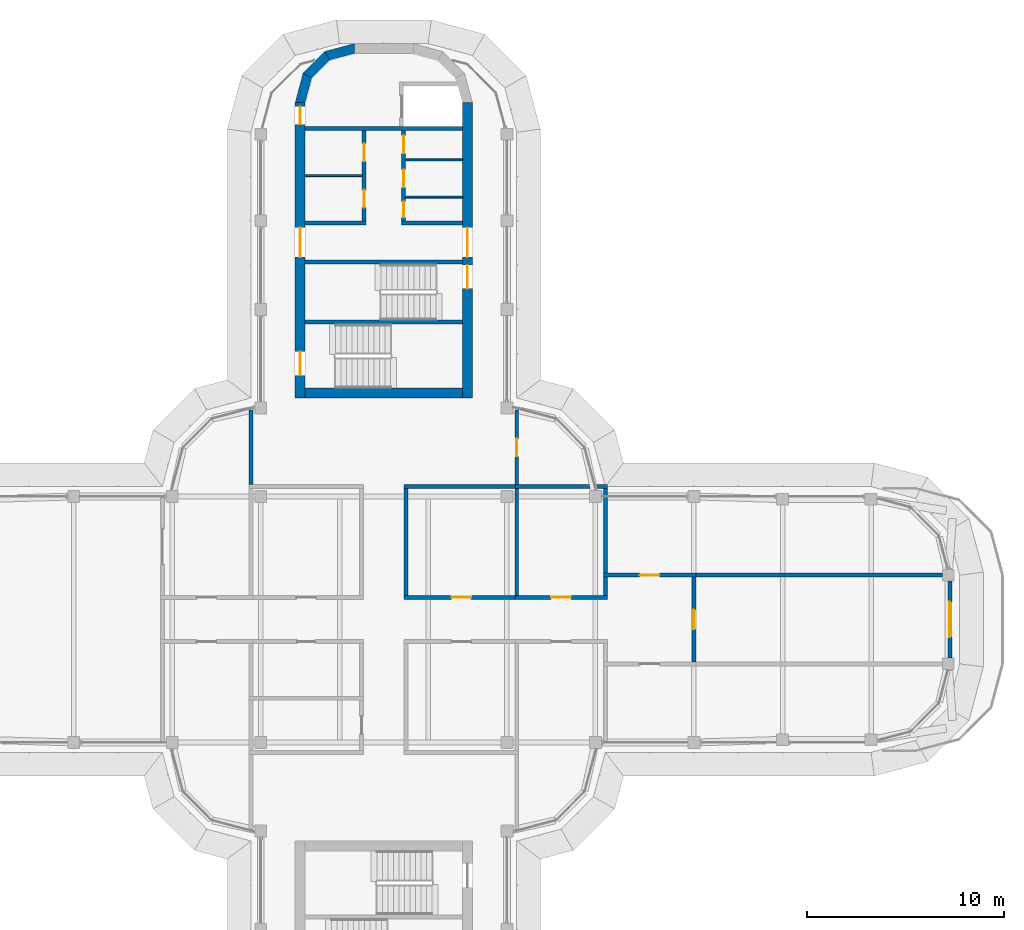
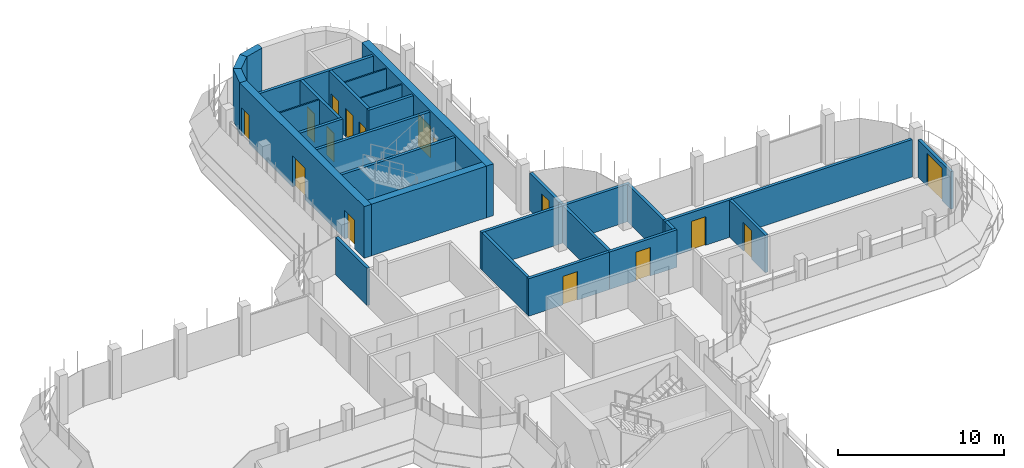
# One storey, part 15 of 20: 30 walls, 16 doors, 16 openings.
"""IFC4 building model written with IfcOpenShell, lengths in metres."""

from ifc_helpers import new_model, si_unit, direction, frame, frame_2d, origin, place, context, subcontext, project, spatial, polyline, rectangle, outline, extrude, material, layer, layer_set, type_object, element, fill, save


model = new_model("IFC4")

# Units and contexts
model_context = context("Model", 3, precision=1e-05, world=origin(), true_north=direction((0.0, 1.0)))
body_context = subcontext(model_context, "Body", "Model", "MODEL_VIEW")
ifc_project = project(units=[si_unit("LENGTHUNIT", "METRE"), si_unit("AREAUNIT", "SQUARE_METRE"), si_unit("VOLUMEUNIT", "CUBIC_METRE"), si_unit("PLANEANGLEUNIT", "RADIAN"), si_unit("MASSUNIT", "GRAM", prefix="KILO")], contexts=[model_context])

# Site, building, storey
site_placement = place(None, origin())
site = spatial("IfcSite", under=ifc_project, at=site_placement, CompositionType="ELEMENT")
building_placement = place(site_placement, origin())
building = spatial("IfcBuilding", under=site, at=building_placement, Name="Zarbagh Exchange Tower", CompositionType="ELEMENT")
storey_placement = place(building_placement, frame((0.0, 0.0, 249.800048828125)))
storey = spatial("IfcBuildingStorey", under=building, at=storey_placement, Name="L61", CompositionType="ELEMENT", Elevation=249.800048828125)

# Walls
ifc_material_1 = material(Name="Dense blockwork", Category="masonry")
ifc_layer_1 = layer(ifc_material_1, 0.10009765625)
ifc_layer_set_1 = layer_set([ifc_layer_1], Name="Core partition 100 mm blockwork")
wall_type_1 = type_object("IfcWallType", Name="Core partition 100 mm blockwork", PredefinedType="PARTITIONING", material=ifc_layer_set_1)
for number, where, z_axis, x_axis, name in (
    (1, (-4.0, 22.550048828125, 0.0), (0.0, 0.0, 1.0), (1.0, 0.0, 0.0), "North core partition wall CUT-W-580"),
    (2, (1.10009765625, 23.35009765625, 0.0), (0.0, 0.0, 1.0), (1.0, 0.0, 0.0), "North core partition wall CUT-E-500"),
    (3, (1.10009765625, 21.449951171875, 0.0), (0.0, 0.0, 1.0), (1.0, 0.0, 0.0), "North core partition wall CUT-E-690"),
):
    element("IfcWall", number, at=place(storey_placement, frame(where, z_axis=z_axis, x_axis=x_axis)), inside=storey, type_object=wall_type_1, Name=name, PredefinedType="PARTITIONING", context=body_context, shape_type="SweptSolid", body=[
        extrude(rectangle(XDim=2.89990234375, YDim=0.10009765625, at=frame_2d((1.449951171875, 0.0))), origin(), (0.0, 0.0, 1.0), 3.64990234375),
    ])

# Wall, opening, door
ifc_material_2 = material(Name="Fire-rated plasterboard partition")
ifc_layer_2 = layer(ifc_material_2, 0.199951171875)
ifc_layer_set_2 = layer_set([ifc_layer_2], Name="RATED PARTITION 200")
wall_type_2 = type_object("IfcWallType", Name="RATED PARTITION 200", PredefinedType="PARTITIONING", material=ifc_layer_set_2)
wall_1_placement = place(storey_placement, frame((1.02490234375, 1.125, 0.0), z_axis=(0.0, 0.0, 1.0), x_axis=(1.0, 0.0, 0.0)))
wall_1 = element("IfcWall", 4, at=wall_1_placement, inside=storey, type_object=wall_type_2, Name="Partition W-2601", PredefinedType="PARTITIONING", context=body_context, shape_type="SweptSolid", body=[
    extrude(rectangle(XDim=5.8251953125, YDim=0.199951171875, at=frame_2d((2.91259765625, 0.0))), origin(), (0.0, 0.0, 1.0), 2.75),
])
opening_1_placement = place(wall_1_placement, frame((2.41259765625, 0.0, 0.0)))
opening_1 = element("IfcOpeningElement", 5, at=opening_1_placement, cuts=wall_1, Name="Opening D-2604", PredefinedType="OPENING", context=body_context, shape_type="SweptSolid", body=[
    extrude(rectangle(XDim=1.0, YDim=2.10009765625, at=frame_2d((0.5, 1.050048828125))), frame((0.0, 0.10986328125, 0.0), z_axis=(0.0, -1.0, 0.0), x_axis=(1.0, 0.0, 0.0)), (0.0, 0.0, 1.0), 0.219970703125),
])
ifc_material_3 = material(Name="Steel door set", Category="steel")
door_type_1 = type_object("IfcDoorType", Name="FIRE DOOR 1000 X 2100 FD30S", OperationType="NOTDEFINED", PredefinedType="DOOR", material=ifc_material_3)
door_1_placement = place(opening_1_placement, origin())
door_1 = element("IfcDoor", 6, at=door_1_placement, inside=storey, type_object=door_type_1, Name="Door D-2604", OperationType="SINGLE_SWING_RIGHT", OverallHeight=2.10009765625, OverallWidth=1.0, PredefinedType="DOOR", context=body_context, shape_type="SweptSolid", body=[
    extrude(rectangle(XDim=1.0, YDim=2.10009765625, at=frame_2d((0.5, 1.050048828125))), frame((0.0, 0.02490234375, 0.0), z_axis=(0.0, -1.0, 0.0), x_axis=(1.0, 0.0, 0.0)), (0.0, 0.0, 1.0), 0.050048828125),
])
fill(opening_1, door_1)

wall_2_placement = place(storey_placement, frame((6.64990234375, 1.125, 0.0), z_axis=(0.0, 0.0, 1.0), x_axis=(1.0, 0.0, 0.0)))
wall_2 = element("IfcWall", 7, at=wall_2_placement, inside=storey, type_object=wall_type_2, Name="Partition W-2602", PredefinedType="PARTITIONING", context=body_context, shape_type="SweptSolid", body=[
    extrude(rectangle(XDim=4.7001953125, YDim=0.199951171875, at=frame_2d((2.35009765625, 0.0))), origin(), (0.0, 0.0, 1.0), 2.75),
])
opening_2_placement = place(wall_2_placement, frame((1.85009765625, 0.0, 0.0)))
opening_2 = element("IfcOpeningElement", 8, at=opening_2_placement, cuts=wall_2, Name="Opening D-2605", PredefinedType="OPENING", context=body_context, shape_type="SweptSolid", body=[
    extrude(rectangle(XDim=1.0, YDim=2.10009765625, at=frame_2d((0.5, 1.050048828125))), frame((0.0, 0.10986328125, 0.0), z_axis=(0.0, -1.0, 0.0), x_axis=(1.0, 0.0, 0.0)), (0.0, 0.0, 1.0), 0.219970703125),
])
door_2_placement = place(opening_2_placement, origin())
door_2 = element("IfcDoor", 9, at=door_2_placement, inside=storey, type_object=door_type_1, Name="Door D-2605", OperationType="SINGLE_SWING_RIGHT", OverallHeight=2.10009765625, OverallWidth=1.0, PredefinedType="DOOR", context=body_context, shape_type="SweptSolid", body=[
    extrude(rectangle(XDim=1.0, YDim=2.10009765625, at=frame_2d((0.5, 1.050048828125))), frame((0.0, 0.02490234375, 0.0), z_axis=(0.0, -1.0, 0.0), x_axis=(1.0, 0.0, 0.0)), (0.0, 0.0, 1.0), 0.050048828125),
])
fill(opening_2, door_2)

# Walls
wall_3_placement = place(storey_placement, frame((1.125, 1.22509765625, 0.0), z_axis=(0.0, 0.0, 1.0), x_axis=(0.0, 1.0, 0.0)))
element("IfcWall", 10, at=wall_3_placement, inside=storey, type_object=wall_type_2, Name="Partition W-2610", PredefinedType="PARTITIONING", context=body_context, shape_type="SweptSolid", body=[
    extrude(rectangle(XDim=5.4248046875, YDim=0.199951171875, at=frame_2d((2.71240234375, 0.0))), origin(), (0.0, 0.0, 1.0), 2.75),
])
wall_4_placement = place(storey_placement, frame((1.02490234375, 6.75, 0.0), z_axis=(0.0, 0.0, 1.0), x_axis=(1.0, 0.0, 0.0)))
element("IfcWall", 11, at=wall_4_placement, inside=storey, type_object=wall_type_2, Name="Partition W-2615", PredefinedType="PARTITIONING", context=body_context, shape_type="SweptSolid", body=[
    extrude(rectangle(XDim=5.8251953125, YDim=0.199951171875, at=frame_2d((2.91259765625, 0.0))), origin(), (0.0, 0.0, 1.0), 2.75),
])

# Wall, opening, door
wall_5_placement = place(storey_placement, frame((6.75, 10.6298828125, 0.0), z_axis=(0.0, 0.0, 1.0), x_axis=(0.0, -1.0, 0.0)))
wall_5 = element("IfcWall", 12, at=wall_5_placement, inside=storey, type_object=wall_type_2, Name="Partition W-2616", PredefinedType="PARTITIONING", context=body_context, shape_type="SweptSolid", body=[
    extrude(rectangle(XDim=3.77978515625, YDim=0.199951171875, at=frame_2d((1.889892578125, 0.0))), origin(), (0.0, 0.0, 1.0), 2.75),
])
opening_3_placement = place(wall_5_placement, frame((1.43994140625, 0.0, 0.0)))
opening_3 = element("IfcOpeningElement", 13, at=opening_3_placement, cuts=wall_5, Name="Opening D-2606", PredefinedType="OPENING", context=body_context, shape_type="SweptSolid", body=[
    extrude(rectangle(XDim=0.89990234375, YDim=2.10009765625, at=frame_2d((0.449951171875, 1.050048828125))), frame((0.0, 0.10986328125, 0.0), z_axis=(0.0, -1.0, 0.0), x_axis=(1.0, 0.0, 0.0)), (0.0, 0.0, 1.0), 0.219970703125),
])
ifc_material_4 = material(Name="Timber door leaf", Category="wood")
door_type_2 = type_object("IfcDoorType", Name="DOOR 900 X 2100", OperationType="NOTDEFINED", PredefinedType="DOOR", material=ifc_material_4)
door_3_placement = place(opening_3_placement, origin())
door_3 = element("IfcDoor", 14, at=door_3_placement, inside=storey, type_object=door_type_2, Name="Door D-2606", OperationType="SINGLE_SWING_RIGHT", OverallHeight=2.10009765625, OverallWidth=0.89990234375, PredefinedType="DOOR", context=body_context, shape_type="SweptSolid", body=[
    extrude(rectangle(XDim=0.89990234375, YDim=2.10009765625, at=frame_2d((0.449951171875, 1.050048828125))), frame((0.0, 0.02490234375, 0.0), z_axis=(0.0, -1.0, 0.0), x_axis=(1.0, 0.0, 0.0)), (0.0, 0.0, 1.0), 0.050048828125),
])
fill(opening_3, door_3)

# Walls
wall_6_placement = place(storey_placement, frame((-6.75, 6.85009765625, 0.0), z_axis=(0.0, 0.0, 1.0), x_axis=(0.0, 1.0, 0.0)))
element("IfcWall", 15, at=wall_6_placement, inside=storey, type_object=wall_type_2, Name="Partition W-2618", PredefinedType="PARTITIONING", context=body_context, shape_type="SweptSolid", body=[
    extrude(rectangle(XDim=3.77978515625, YDim=0.199951171875, at=frame_2d((1.889892578125, 0.0))), origin(), (0.0, 0.0, 1.0), 2.75),
])
wall_7_placement = place(storey_placement, frame((6.75, 1.22509765625, 0.0), z_axis=(0.0, 0.0, 1.0), x_axis=(0.0, 1.0, 0.0)))
element("IfcWall", 16, at=wall_7_placement, inside=storey, type_object=wall_type_2, Name="Partition W-2623", PredefinedType="PARTITIONING", context=body_context, shape_type="SweptSolid", body=[
    extrude(rectangle(XDim=5.4248046875, YDim=0.199951171875, at=frame_2d((2.71240234375, 0.0))), origin(), (0.0, 0.0, 1.0), 2.75),
])
wall_8_placement = place(storey_placement, frame((6.64990234375, 6.75, 0.0), z_axis=(0.0, 0.0, 1.0), x_axis=(1.0, 0.0, 0.0)))
element("IfcWall", 17, at=wall_8_placement, inside=storey, type_object=wall_type_2, Name="Partition W-2624", PredefinedType="PARTITIONING", context=body_context, shape_type="SweptSolid", body=[
    extrude(rectangle(XDim=4.7001953125, YDim=0.199951171875, at=frame_2d((2.35009765625, 0.0))), origin(), (0.0, 0.0, 1.0), 2.75),
])
wall_9_placement = place(storey_placement, frame((11.25, 1.22509765625, 0.0), z_axis=(0.0, 0.0, 1.0), x_axis=(0.0, 1.0, 0.0)))
element("IfcWall", 18, at=wall_9_placement, inside=storey, type_object=wall_type_2, Name="Partition W-2625", PredefinedType="PARTITIONING", context=body_context, shape_type="SweptSolid", body=[
    extrude(rectangle(XDim=0.9248046875, YDim=0.199951171875, at=frame_2d((0.46240234375, 0.0))), origin(), (0.0, 0.0, 1.0), 2.75),
])
wall_10_placement = place(storey_placement, frame((11.25, 2.35009765625, 0.0), z_axis=(0.0, 0.0, 1.0), x_axis=(0.0, 1.0, 0.0)))
element("IfcWall", 19, at=wall_10_placement, inside=storey, type_object=wall_type_2, Name="Partition W-2626", PredefinedType="PARTITIONING", context=body_context, shape_type="SweptSolid", body=[
    extrude(rectangle(XDim=4.2998046875, YDim=0.199951171875, at=frame_2d((2.14990234375, 0.0))), origin(), (0.0, 0.0, 1.0), 2.75),
])

# Wall, opening, door
wall_11_placement = place(storey_placement, frame((11.14990234375, 2.25, 0.0), z_axis=(0.0, 0.0, 1.0), x_axis=(1.0, 0.0, 0.0)))
wall_11 = element("IfcWall", 20, at=wall_11_placement, inside=storey, type_object=wall_type_2, Name="Partition W-2636", PredefinedType="PARTITIONING", context=body_context, shape_type="SweptSolid", body=[
    extrude(rectangle(XDim=4.7001953125, YDim=0.199951171875, at=frame_2d((2.35009765625, 0.0))), origin(), (0.0, 0.0, 1.0), 2.75),
])
opening_4_placement = place(wall_11_placement, frame((1.85009765625, 0.0, 0.0)))
opening_4 = element("IfcOpeningElement", 21, at=opening_4_placement, cuts=wall_11, Name="Opening D-2602", PredefinedType="OPENING", context=body_context, shape_type="SweptSolid", body=[
    extrude(rectangle(XDim=1.0, YDim=2.10009765625, at=frame_2d((0.5, 1.050048828125))), frame((0.0, 0.10986328125, 0.0), z_axis=(0.0, -1.0, 0.0), x_axis=(1.0, 0.0, 0.0)), (0.0, 0.0, 1.0), 0.219970703125),
])
door_4_placement = place(opening_4_placement, origin())
door_4 = element("IfcDoor", 22, at=door_4_placement, inside=storey, type_object=door_type_1, Name="Door D-2602", OperationType="SINGLE_SWING_RIGHT", OverallHeight=2.10009765625, OverallWidth=1.0, PredefinedType="DOOR", context=body_context, shape_type="SweptSolid", body=[
    extrude(rectangle(XDim=1.0, YDim=2.10009765625, at=frame_2d((0.5, 1.050048828125))), frame((0.0, 0.02490234375, 0.0), z_axis=(0.0, -1.0, 0.0), x_axis=(1.0, 0.0, 0.0)), (0.0, 0.0, 1.0), 0.050048828125),
])
fill(opening_4, door_4)

wall_12_placement = place(storey_placement, frame((15.75, 2.14990234375, 0.0), z_axis=(0.0, 0.0, 1.0), x_axis=(0.0, -1.0, 0.0)))
wall_12 = element("IfcWall", 23, at=wall_12_placement, inside=storey, type_object=wall_type_2, Name="Partition W-2638", PredefinedType="PARTITIONING", context=body_context, shape_type="SweptSolid", body=[
    extrude(rectangle(XDim=4.2998046875, YDim=0.199951171875, at=frame_2d((2.14990234375, 0.0))), origin(), (0.0, 0.0, 1.0), 2.75),
])
opening_5_placement = place(wall_12_placement, frame((1.64990234375, 0.0, 0.0)))
opening_5 = element("IfcOpeningElement", 24, at=opening_5_placement, cuts=wall_12, Name="Opening D-2601", PredefinedType="OPENING", context=body_context, shape_type="SweptSolid", body=[
    extrude(rectangle(XDim=1.0, YDim=2.10009765625, at=frame_2d((0.5, 1.050048828125))), frame((0.0, 0.10986328125, 0.0), z_axis=(0.0, -1.0, 0.0), x_axis=(1.0, 0.0, 0.0)), (0.0, 0.0, 1.0), 0.219970703125),
])
door_5_placement = place(opening_5_placement, origin())
door_5 = element("IfcDoor", 25, at=door_5_placement, inside=storey, type_object=door_type_1, Name="Door D-2601", OperationType="SINGLE_SWING_RIGHT", OverallHeight=2.10009765625, OverallWidth=1.0, PredefinedType="DOOR", context=body_context, shape_type="SweptSolid", body=[
    extrude(rectangle(XDim=1.0, YDim=2.10009765625, at=frame_2d((0.5, 1.050048828125))), frame((0.0, 0.02490234375, 0.0), z_axis=(0.0, -1.0, 0.0), x_axis=(1.0, 0.0, 0.0)), (0.0, 0.0, 1.0), 0.050048828125),
])
fill(opening_5, door_5)

# Walls
wall_13_placement = place(storey_placement, frame((15.64990234375, 2.25, 0.0), z_axis=(0.0, 0.0, 1.0), x_axis=(1.0, 0.0, 0.0)))
element("IfcWall", 26, at=wall_13_placement, inside=storey, type_object=wall_type_2, Name="Partition W-2639", PredefinedType="PARTITIONING", context=body_context, shape_type="SweptSolid", body=[
    extrude(rectangle(XDim=12.72021484375, YDim=0.199951171875, at=frame_2d((6.360107421875, 0.0))), origin(), (0.0, 0.0, 1.0), 2.75),
])
ifc_material_5 = material(Name="Concrete C40/50", Category="concrete")
ifc_layer_3 = layer(ifc_material_5, 0.5)
ifc_layer_set_3 = layer_set([ifc_layer_3], Name="RC core corner wall 500 C40/50")
wall_type_3 = type_object("IfcWallType", Name="RC core corner wall 500 C40/50", PredefinedType="SHEAR", material=ifc_layer_set_3)
wall_14_placement = place(storey_placement, origin())
element("IfcWall", 27, at=wall_14_placement, inside=storey, type_object=wall_type_3, Name="CW10 core N corner W", PredefinedType="SHEAR", context=body_context, shape_type="SweptSolid", body=[
    extrude(outline(polyline([(-4.5, 26.25), (-4.09814453125, 27.75), (-3.6650390625, 27.5), (-4.0, 26.25), (-4.5, 26.25)])), origin(), (0.0, 0.0, 1.0), 3.800048828125),
])
wall_15_placement = place(storey_placement, origin())
element("IfcWall", 28, at=wall_15_placement, inside=storey, type_object=wall_type_3, Name="CW10 core N corner W", PredefinedType="SHEAR", context=body_context, shape_type="SweptSolid", body=[
    extrude(outline(polyline([(-4.09814453125, 27.75), (-3.0, 28.84814453125), (-2.75, 28.4150390625), (-3.6650390625, 27.5), (-4.09814453125, 27.75)])), origin(), (0.0, 0.0, 1.0), 3.800048828125),
])
wall_16_placement = place(storey_placement, origin())
element("IfcWall", 29, at=wall_16_placement, inside=storey, type_object=wall_type_3, Name="CW10 core N corner W", PredefinedType="SHEAR", context=body_context, shape_type="SweptSolid", body=[
    extrude(outline(polyline([(-3.0, 28.84814453125), (-1.5, 29.25), (-1.5, 28.75), (-2.75, 28.4150390625), (-3.0, 28.84814453125)])), origin(), (0.0, 0.0, 1.0), 3.800048828125),
])

# Wall, openings, doors
ifc_layer_4 = layer(ifc_material_5, 0.5)
ifc_layer_set_4 = layer_set([ifc_layer_4], Name="RC core wall 500 C40/50")
wall_type_4 = type_object("IfcWallType", Name="RC core wall 500 C40/50", PredefinedType="SHEAR", material=ifc_layer_set_4)
wall_17_placement = place(storey_placement, frame((-4.25, 11.25, 0.0), z_axis=(0.0, 0.0, 1.0), x_axis=(0.0, 1.0, 0.0)))
wall_17 = element("IfcWall", 30, at=wall_17_placement, inside=storey, type_object=wall_type_4, Name="CW9 core N W", PredefinedType="SHEAR", context=body_context, shape_type="SweptSolid", body=[
    extrude(rectangle(XDim=15.0, YDim=0.5, at=frame_2d((7.5, 0.0))), origin(), (0.0, 0.0, 1.0), 3.800048828125),
])
opening_6_placement = place(wall_17_placement, frame((7.14990234375, 0.0, 0.0)))
opening_6 = element("IfcOpeningElement", 31, at=opening_6_placement, cuts=wall_17, Name="Opening CD1-1500", PredefinedType="OPENING", context=body_context, shape_type="SweptSolid", body=[
    extrude(rectangle(XDim=1.5, YDim=2.300048828125, at=frame_2d((0.75, 1.14990234375))), frame((0.0, 0.260009765625, 0.0), z_axis=(0.0, -1.0, 0.0), x_axis=(1.0, 0.0, 0.0)), (0.0, 0.0, 1.0), 0.52001953125),
])
opening_7_placement = place(wall_17_placement, frame((13.89990234375, 0.0, 0.0)))
opening_7 = element("IfcOpeningElement", 32, at=opening_7_placement, cuts=wall_17, Name="Opening CD2-900", PredefinedType="OPENING", context=body_context, shape_type="SweptSolid", body=[
    extrude(rectangle(XDim=0.89990234375, YDim=2.10009765625, at=frame_2d((0.449951171875, 1.050048828125))), frame((0.0, 0.260009765625, 0.0), z_axis=(0.0, -1.0, 0.0), x_axis=(1.0, 0.0, 0.0)), (0.0, 0.0, 1.0), 0.52001953125),
])
opening_8_placement = place(wall_17_placement, frame((1.14990234375, 0.0, 0.0)))
opening_8 = element("IfcOpeningElement", 33, at=opening_8_placement, cuts=wall_17, Name="Opening SD1-1200", PredefinedType="OPENING", context=body_context, shape_type="SweptSolid", body=[
    extrude(rectangle(XDim=1.199951171875, YDim=2.10009765625, at=frame_2d((0.60009765625, 1.050048828125))), frame((0.0, 0.260009765625, 0.0), z_axis=(0.0, -1.0, 0.0), x_axis=(1.0, 0.0, 0.0)), (0.0, 0.0, 1.0), 0.52001953125),
])
ifc_material_6 = material(Name="Steel", Category="steel")
door_type_3 = type_object("IfcDoorType", Name="Exit stair door 1200 x 2100", OperationType="NOTDEFINED", PredefinedType="DOOR", material=ifc_material_6)
door_6_placement = place(opening_8_placement, origin())
door_6 = element("IfcDoor", 34, at=door_6_placement, inside=storey, type_object=door_type_3, Name="North core stair door ST2", OperationType="SINGLE_SWING_RIGHT", OverallHeight=2.10009765625, OverallWidth=1.199951171875, PredefinedType="DOOR", context=body_context, shape_type="SweptSolid", body=[
    extrude(rectangle(XDim=1.199951171875, YDim=2.10009765625, at=frame_2d((0.60009765625, 1.050048828125))), frame((0.0, 0.02490234375, 0.0), z_axis=(0.0, -1.0, 0.0), x_axis=(1.0, 0.0, 0.0)), (0.0, 0.0, 1.0), 0.050048828125),
])
fill(opening_8, door_6)
door_type_4 = type_object("IfcDoorType", Name="Firefighting lobby door 900 x 2100", OperationType="NOTDEFINED", PredefinedType="DOOR", material=ifc_material_6)
door_7_placement = place(opening_7_placement, origin())
door_7 = element("IfcDoor", 35, at=door_7_placement, inside=storey, type_object=door_type_4, Name="North core firefighting lobby door FF-W", OperationType="SINGLE_SWING_LEFT", OverallHeight=2.10009765625, OverallWidth=0.89990234375, PredefinedType="DOOR", context=body_context, shape_type="SweptSolid", body=[
    extrude(rectangle(XDim=0.89990234375, YDim=2.10009765625, at=frame_2d((0.449951171875, 1.050048828125))), frame((0.0, 0.02490234375, 0.0), z_axis=(0.0, -1.0, 0.0), x_axis=(1.0, 0.0, 0.0)), (0.0, 0.0, 1.0), 0.050048828125),
])
fill(opening_7, door_7)
door_type_5 = type_object("IfcDoorType", Name="Lift lobby double door 1500 x 2300", OperationType="NOTDEFINED", PredefinedType="DOOR", material=ifc_material_6)
door_8_placement = place(opening_6_placement, origin())
door_8 = element("IfcDoor", 36, at=door_8_placement, inside=storey, type_object=door_type_5, Name="North core lift lobby door LOBBY-W", OperationType="DOUBLE_DOOR_SINGLE_SWING", OverallHeight=2.300048828125, OverallWidth=1.5, PredefinedType="DOOR", context=body_context, shape_type="SweptSolid", body=[
    extrude(rectangle(XDim=1.5, YDim=2.300048828125, at=frame_2d((0.75, 1.14990234375))), frame((0.0, 0.02490234375, 0.0), z_axis=(0.0, -1.0, 0.0), x_axis=(1.0, 0.0, 0.0)), (0.0, 0.0, 1.0), 0.050048828125),
])
fill(opening_6, door_8)

wall_18_placement = place(storey_placement, frame((4.25, 11.25, 0.0), z_axis=(0.0, 0.0, 1.0), x_axis=(0.0, 1.0, 0.0)))
wall_18 = element("IfcWall", 37, at=wall_18_placement, inside=storey, type_object=wall_type_4, Name="CW9 core N E", PredefinedType="SHEAR", context=body_context, shape_type="SweptSolid", body=[
    extrude(rectangle(XDim=15.0, YDim=0.5, at=frame_2d((7.5, 0.0))), origin(), (0.0, 0.0, 1.0), 3.800048828125),
])
opening_9_placement = place(wall_18_placement, frame((7.14990234375, 0.0, 0.0)))
opening_9 = element("IfcOpeningElement", 38, at=opening_9_placement, cuts=wall_18, Name="Opening CD1-1500", PredefinedType="OPENING", context=body_context, shape_type="SweptSolid", body=[
    extrude(rectangle(XDim=1.5, YDim=2.300048828125, at=frame_2d((0.75, 1.14990234375))), frame((0.0, 0.260009765625, 0.0), z_axis=(0.0, -1.0, 0.0), x_axis=(1.0, 0.0, 0.0)), (0.0, 0.0, 1.0), 0.52001953125),
])
opening_10_placement = place(wall_18_placement, frame((5.550048828125, 0.0, 0.0)))
opening_10 = element("IfcOpeningElement", 39, at=opening_10_placement, cuts=wall_18, Name="Opening SD1-1200", PredefinedType="OPENING", context=body_context, shape_type="SweptSolid", body=[
    extrude(rectangle(XDim=1.199951171875, YDim=2.10009765625, at=frame_2d((0.60009765625, 1.050048828125))), frame((0.0, 0.260009765625, 0.0), z_axis=(0.0, -1.0, 0.0), x_axis=(1.0, 0.0, 0.0)), (0.0, 0.0, 1.0), 0.52001953125),
])
door_9_placement = place(opening_10_placement, origin())
door_9 = element("IfcDoor", 40, at=door_9_placement, inside=storey, type_object=door_type_3, Name="North core stair door ST1", OperationType="SINGLE_SWING_LEFT", OverallHeight=2.10009765625, OverallWidth=1.199951171875, PredefinedType="DOOR", context=body_context, shape_type="SweptSolid", body=[
    extrude(rectangle(XDim=1.199951171875, YDim=2.10009765625, at=frame_2d((0.60009765625, 1.050048828125))), frame((0.0, 0.02490234375, 0.0), z_axis=(0.0, -1.0, 0.0), x_axis=(1.0, 0.0, 0.0)), (0.0, 0.0, 1.0), 0.050048828125),
])
fill(opening_10, door_9)
door_10_placement = place(opening_9_placement, origin())
door_10 = element("IfcDoor", 41, at=door_10_placement, inside=storey, type_object=door_type_5, Name="North core lift lobby door LOBBY-E", OperationType="DOUBLE_DOOR_SINGLE_SWING", OverallHeight=2.300048828125, OverallWidth=1.5, PredefinedType="DOOR", context=body_context, shape_type="SweptSolid", body=[
    extrude(rectangle(XDim=1.5, YDim=2.300048828125, at=frame_2d((0.75, 1.14990234375))), frame((0.0, 0.02490234375, 0.0), z_axis=(0.0, -1.0, 0.0), x_axis=(1.0, 0.0, 0.0)), (0.0, 0.0, 1.0), 0.050048828125),
])
fill(opening_9, door_10)

# Walls
wall_19_placement = place(storey_placement, frame((-4.0, 11.5, 0.0), z_axis=(0.0, 0.0, 1.0), x_axis=(1.0, 0.0, 0.0)))
element("IfcWall", 42, at=wall_19_placement, inside=storey, type_object=wall_type_4, Name="CW9 core N inner end", PredefinedType="SHEAR", context=body_context, shape_type="SweptSolid", body=[
    extrude(rectangle(XDim=8.0, YDim=0.5, at=frame_2d((4.0, 0.0))), origin(), (0.0, 0.0, 1.0), 3.800048828125),
])
ifc_layer_5 = layer(ifc_material_1, 0.199951171875)
ifc_layer_set_5 = layer_set([ifc_layer_5], Name="Shaft wall 200 mm blockwork")
wall_type_5 = type_object("IfcWallType", Name="Shaft wall 200 mm blockwork", PredefinedType="PARTITIONING", material=ifc_layer_set_5)
wall_20_placement = place(storey_placement, frame((-4.0, 20.14990234375, 0.0), z_axis=(0.0, 0.0, 1.0), x_axis=(1.0, 0.0, 0.0)))
element("IfcWall", 43, at=wall_20_placement, inside=storey, type_object=wall_type_5, Name="North core shaft wall AB-W", PredefinedType="PARTITIONING", context=body_context, shape_type="SweptSolid", body=[
    extrude(rectangle(XDim=3.10009765625, YDim=0.199951171875, at=frame_2d((1.550048828125, 0.0))), origin(), (0.0, 0.0, 1.0), 3.64990234375),
])

# Wall, openings, doors
wall_21_placement = place(storey_placement, frame((-1.0, 24.85009765625, 0.0), z_axis=(0.0, 0.0, 1.0), x_axis=(0.0, -1.0, 0.0)))
wall_21 = element("IfcWall", 44, at=wall_21_placement, inside=storey, type_object=wall_type_5, Name="North core shaft wall LW-W", PredefinedType="PARTITIONING", context=body_context, shape_type="SweptSolid", body=[
    extrude(rectangle(XDim=4.60009765625, YDim=0.199951171875, at=frame_2d((2.300048828125, 0.0))), origin(), (0.0, 0.0, 1.0), 3.64990234375),
])
opening_11_placement = place(wall_21_placement, frame((0.675048828125, 0.0, 0.0)))
opening_11 = element("IfcOpeningElement", 45, at=opening_11_placement, cuts=wall_21, Name="Opening CD3-900", PredefinedType="OPENING", context=body_context, shape_type="SweptSolid", body=[
    extrude(rectangle(XDim=0.89990234375, YDim=2.10009765625, at=frame_2d((0.449951171875, 1.050048828125))), frame((0.0, 0.10986328125, 0.0), z_axis=(0.0, -1.0, 0.0), x_axis=(1.0, 0.0, 0.0)), (0.0, 0.0, 1.0), 0.219970703125),
])
opening_12_placement = place(wall_21_placement, frame((3.02490234375, 0.0, 0.0)))
opening_12 = element("IfcOpeningElement", 46, at=opening_12_placement, cuts=wall_21, Name="Opening CD3-900", PredefinedType="OPENING", context=body_context, shape_type="SweptSolid", body=[
    extrude(rectangle(XDim=0.89990234375, YDim=2.10009765625, at=frame_2d((0.449951171875, 1.050048828125))), frame((0.0, 0.10986328125, 0.0), z_axis=(0.0, -1.0, 0.0), x_axis=(1.0, 0.0, 0.0)), (0.0, 0.0, 1.0), 0.219970703125),
])
door_type_6 = type_object("IfcDoorType", Name="Core room door 900 x 2100", OperationType="NOTDEFINED", PredefinedType="DOOR", material=ifc_material_6)
door_11_placement = place(opening_11_placement, origin())
door_11 = element("IfcDoor", 47, at=door_11_placement, inside=storey, type_object=door_type_6, Name="North core Staff WC door RD-W-0", OperationType="SINGLE_SWING_LEFT", OverallHeight=2.10009765625, OverallWidth=0.89990234375, PredefinedType="DOOR", context=body_context, shape_type="SweptSolid", body=[
    extrude(rectangle(XDim=0.89990234375, YDim=2.10009765625, at=frame_2d((0.449951171875, 1.050048828125))), frame((0.0, 0.02490234375, 0.0), z_axis=(0.0, -1.0, 0.0), x_axis=(1.0, 0.0, 0.0)), (0.0, 0.0, 1.0), 0.050048828125),
])
fill(opening_11, door_11)
door_12_placement = place(opening_12_placement, origin())
door_12 = element("IfcDoor", 48, at=door_12_placement, inside=storey, type_object=door_type_6, Name="North core Accessible WC door RD-W-1", OperationType="SINGLE_SWING_RIGHT", OverallHeight=2.10009765625, OverallWidth=0.89990234375, PredefinedType="DOOR", context=body_context, shape_type="SweptSolid", body=[
    extrude(rectangle(XDim=0.89990234375, YDim=2.10009765625, at=frame_2d((0.449951171875, 1.050048828125))), frame((0.0, 0.02490234375, 0.0), z_axis=(0.0, -1.0, 0.0), x_axis=(1.0, 0.0, 0.0)), (0.0, 0.0, 1.0), 0.050048828125),
])
fill(opening_12, door_12)

# Wall
wall_22_placement = place(storey_placement, frame((0.89990234375, 20.14990234375, 0.0), z_axis=(0.0, 0.0, 1.0), x_axis=(1.0, 0.0, 0.0)))
element("IfcWall", 49, at=wall_22_placement, inside=storey, type_object=wall_type_5, Name="North core shaft wall AB-E", PredefinedType="PARTITIONING", context=body_context, shape_type="SweptSolid", body=[
    extrude(rectangle(XDim=3.10009765625, YDim=0.199951171875, at=frame_2d((1.550048828125, 0.0))), origin(), (0.0, 0.0, 1.0), 3.64990234375),
])

# Wall, openings, doors
wall_23_placement = place(storey_placement, frame((1.0, 24.85009765625, 0.0), z_axis=(0.0, 0.0, 1.0), x_axis=(0.0, -1.0, 0.0)))
wall_23 = element("IfcWall", 50, at=wall_23_placement, inside=storey, type_object=wall_type_5, Name="North core shaft wall LW-E", PredefinedType="PARTITIONING", context=body_context, shape_type="SweptSolid", body=[
    extrude(rectangle(XDim=4.60009765625, YDim=0.199951171875, at=frame_2d((2.300048828125, 0.0))), origin(), (0.0, 0.0, 1.0), 3.64990234375),
])
opening_13_placement = place(wall_23_placement, frame((0.27490234375, 0.0, 0.0)))
opening_13 = element("IfcOpeningElement", 51, at=opening_13_placement, cuts=wall_23, Name="Opening CD3-900", PredefinedType="OPENING", context=body_context, shape_type="SweptSolid", body=[
    extrude(rectangle(XDim=0.89990234375, YDim=2.10009765625, at=frame_2d((0.449951171875, 1.050048828125))), frame((0.0, 0.10986328125, 0.0), z_axis=(0.0, -1.0, 0.0), x_axis=(1.0, 0.0, 0.0)), (0.0, 0.0, 1.0), 0.219970703125),
])
opening_14_placement = place(wall_23_placement, frame((2.0, 0.0, 0.0)))
opening_14 = element("IfcOpeningElement", 52, at=opening_14_placement, cuts=wall_23, Name="Opening CD3-900", PredefinedType="OPENING", context=body_context, shape_type="SweptSolid", body=[
    extrude(rectangle(XDim=0.89990234375, YDim=2.10009765625, at=frame_2d((0.449951171875, 1.050048828125))), frame((0.0, 0.10986328125, 0.0), z_axis=(0.0, -1.0, 0.0), x_axis=(1.0, 0.0, 0.0)), (0.0, 0.0, 1.0), 0.219970703125),
])
opening_15_placement = place(wall_23_placement, frame((3.625, 0.0, 0.0)))
opening_15 = element("IfcOpeningElement", 53, at=opening_15_placement, cuts=wall_23, Name="Opening CD3-800", PredefinedType="OPENING", context=body_context, shape_type="SweptSolid", body=[
    extrude(rectangle(XDim=0.800048828125, YDim=2.10009765625, at=frame_2d((0.39990234375, 1.050048828125))), frame((0.0, 0.10986328125, 0.0), z_axis=(0.0, -1.0, 0.0), x_axis=(1.0, 0.0, 0.0)), (0.0, 0.0, 1.0), 0.219970703125),
])
door_type_7 = type_object("IfcDoorType", Name="Core room door 800 x 2100", OperationType="NOTDEFINED", PredefinedType="DOOR", material=ifc_material_6)
door_13_placement = place(opening_15_placement, origin())
door_13 = element("IfcDoor", 54, at=door_13_placement, inside=storey, type_object=door_type_7, Name="North core IT room door RD-E-2", OperationType="SINGLE_SWING_RIGHT", OverallHeight=2.10009765625, OverallWidth=0.800048828125, PredefinedType="DOOR", context=body_context, shape_type="SweptSolid", body=[
    extrude(rectangle(XDim=0.800048828125, YDim=2.10009765625, at=frame_2d((0.39990234375, 1.050048828125))), frame((0.0, 0.02490234375, 0.0), z_axis=(0.0, -1.0, 0.0), x_axis=(1.0, 0.0, 0.0)), (0.0, 0.0, 1.0), 0.050048828125),
])
fill(opening_15, door_13)
door_14_placement = place(opening_13_placement, origin())
door_14 = element("IfcDoor", 55, at=door_14_placement, inside=storey, type_object=door_type_6, Name="North core Cleaner's store door RD-E-0", OperationType="SINGLE_SWING_RIGHT", OverallHeight=2.10009765625, OverallWidth=0.89990234375, PredefinedType="DOOR", context=body_context, shape_type="SweptSolid", body=[
    extrude(rectangle(XDim=0.89990234375, YDim=2.10009765625, at=frame_2d((0.449951171875, 1.050048828125))), frame((0.0, 0.02490234375, 0.0), z_axis=(0.0, -1.0, 0.0), x_axis=(1.0, 0.0, 0.0)), (0.0, 0.0, 1.0), 0.050048828125),
])
fill(opening_13, door_14)
door_15_placement = place(opening_14_placement, origin())
door_15 = element("IfcDoor", 56, at=door_15_placement, inside=storey, type_object=door_type_6, Name="North core Pantry door RD-E-1", OperationType="SINGLE_SWING_RIGHT", OverallHeight=2.10009765625, OverallWidth=0.89990234375, PredefinedType="DOOR", context=body_context, shape_type="SweptSolid", body=[
    extrude(rectangle(XDim=0.89990234375, YDim=2.10009765625, at=frame_2d((0.449951171875, 1.050048828125))), frame((0.0, 0.02490234375, 0.0), z_axis=(0.0, -1.0, 0.0), x_axis=(1.0, 0.0, 0.0)), (0.0, 0.0, 1.0), 0.050048828125),
])
fill(opening_14, door_15)

# Walls
ifc_layer_6 = layer(ifc_material_5, 0.199951171875)
ifc_layer_set_6 = layer_set([ifc_layer_6], Name="Stair enclosure wall 200 mm RC C40/50")
wall_type_6 = type_object("IfcWallType", Name="Stair enclosure wall 200 mm RC C40/50", PredefinedType="SHEAR", material=ifc_layer_set_6)
for number, where, z_axis, x_axis, name in (
    (57, (-4.0, 24.949951171875, 0.0), (0.0, 0.0, 1.0), (1.0, 0.0, 0.0), "North core lift shaft wall FFA"),
    (58, (-4.0, 18.14990234375, 0.0), (0.0, 0.0, 1.0), (1.0, 0.0, 0.0), "North core stair wall BS"),
    (59, (-4.0, 15.10009765625, 0.0), (0.0, 0.0, 1.0), (1.0, 0.0, 0.0), "North core stair wall ST12"),
):
    element("IfcWall", number, at=place(storey_placement, frame(where, z_axis=z_axis, x_axis=x_axis)), inside=storey, type_object=wall_type_6, Name=name, PredefinedType="SHEAR", context=body_context, shape_type="SweptSolid", body=[
        extrude(rectangle(XDim=8.0, YDim=0.199951171875, at=frame_2d((4.0, 0.0))), origin(), (0.0, 0.0, 1.0), 3.64990234375),
    ])

# Wall, opening, door
ifc_material_7 = material(Name="Precast concrete C50/60", Category="concrete")
ifc_layer_7 = layer(ifc_material_7, 0.199951171875)
ifc_layer_set_7 = layer_set([ifc_layer_7], Name="Terrace door wall, precast concrete C50/60")
wall_type_7 = type_object("IfcWallType", Name="Terrace door wall, precast concrete C50/60", PredefinedType="SOLIDWALL", material=ifc_layer_set_7)
wall_24_placement = place(storey_placement, frame((28.75, -1.949951171875, 0.0), z_axis=(0.0, 0.0, 1.0), x_axis=(0.0, 1.0, 0.0)))
wall_24 = element("IfcWall", 60, at=wall_24_placement, inside=storey, type_object=wall_type_7, Name="TW57 door wall", PredefinedType="SOLIDWALL", context=body_context, shape_type="SweptSolid", body=[
    extrude(rectangle(XDim=3.89990234375, YDim=0.199951171875, at=frame_2d((1.949951171875, 0.0))), origin(), (0.0, 0.0, 1.0), 2.75),
])
opening_16_placement = place(wall_24_placement, frame((1.050048828125, 0.0, 0.0)))
opening_16 = element("IfcOpeningElement", 61, at=opening_16_placement, cuts=wall_24, Name="Opening TD01", PredefinedType="OPENING", context=body_context, shape_type="SweptSolid", body=[
    extrude(rectangle(XDim=1.800048828125, YDim=2.39990234375, at=frame_2d((0.89990234375, 1.199951171875))), frame((0.0, 0.10986328125, 0.0), z_axis=(0.0, -1.0, 0.0), x_axis=(1.0, 0.0, 0.0)), (0.0, 0.0, 1.0), 0.219970703125),
])
ifc_material_8 = material(Name="Anodised aluminium and glass", Category="aluminium")
door_type_8 = type_object("IfcDoorType", Name="Terrace door, double leaf, aluminium and glass", OperationType="DOUBLE_DOOR_DOUBLE_SWING", PredefinedType="DOOR", material=ifc_material_8)
door_16_placement = place(opening_16_placement, origin())
door_16 = element("IfcDoor", 62, at=door_16_placement, inside=storey, type_object=door_type_8, Name="TD01 terrace door", OperationType="SINGLE_SWING_LEFT", OverallHeight=2.39990234375, OverallWidth=1.800048828125, PredefinedType="DOOR", context=body_context, shape_type="SweptSolid", body=[
    extrude(rectangle(XDim=1.800048828125, YDim=2.39990234375, at=frame_2d((0.89990234375, 1.199951171875))), frame((0.0, 0.02490234375, 0.0), z_axis=(0.0, -1.0, 0.0), x_axis=(1.0, 0.0, 0.0)), (0.0, 0.0, 1.0), 0.050048828125),
])
fill(opening_16, door_16)

save(model, "model.ifc")
